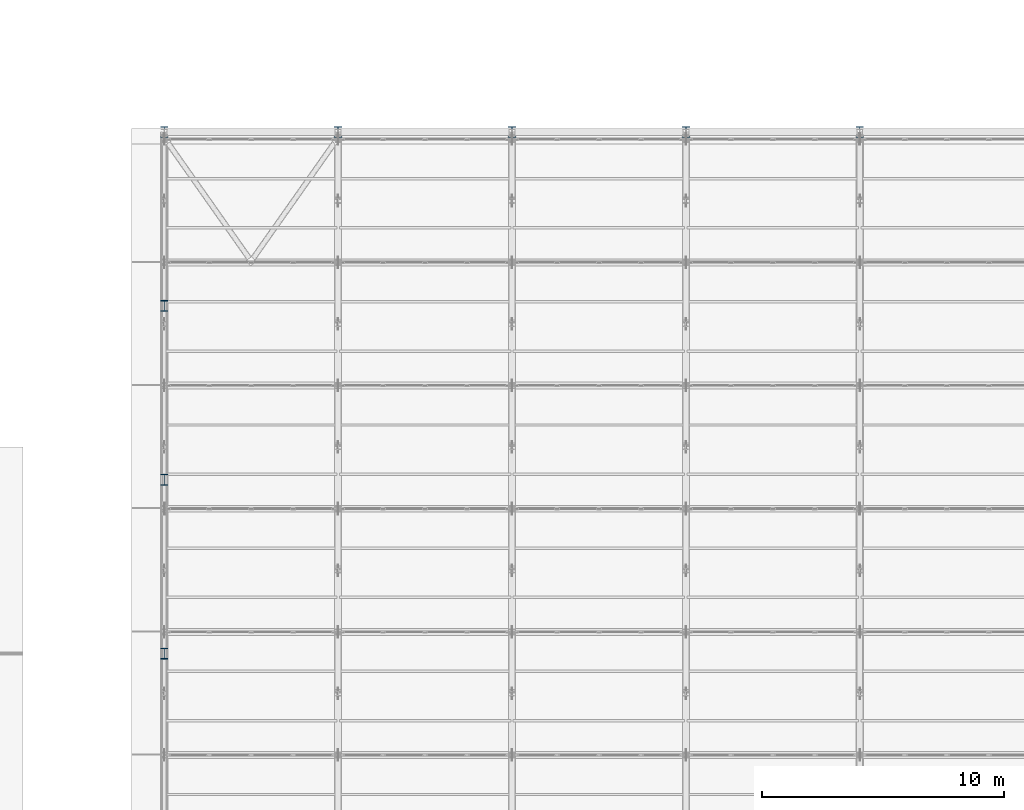
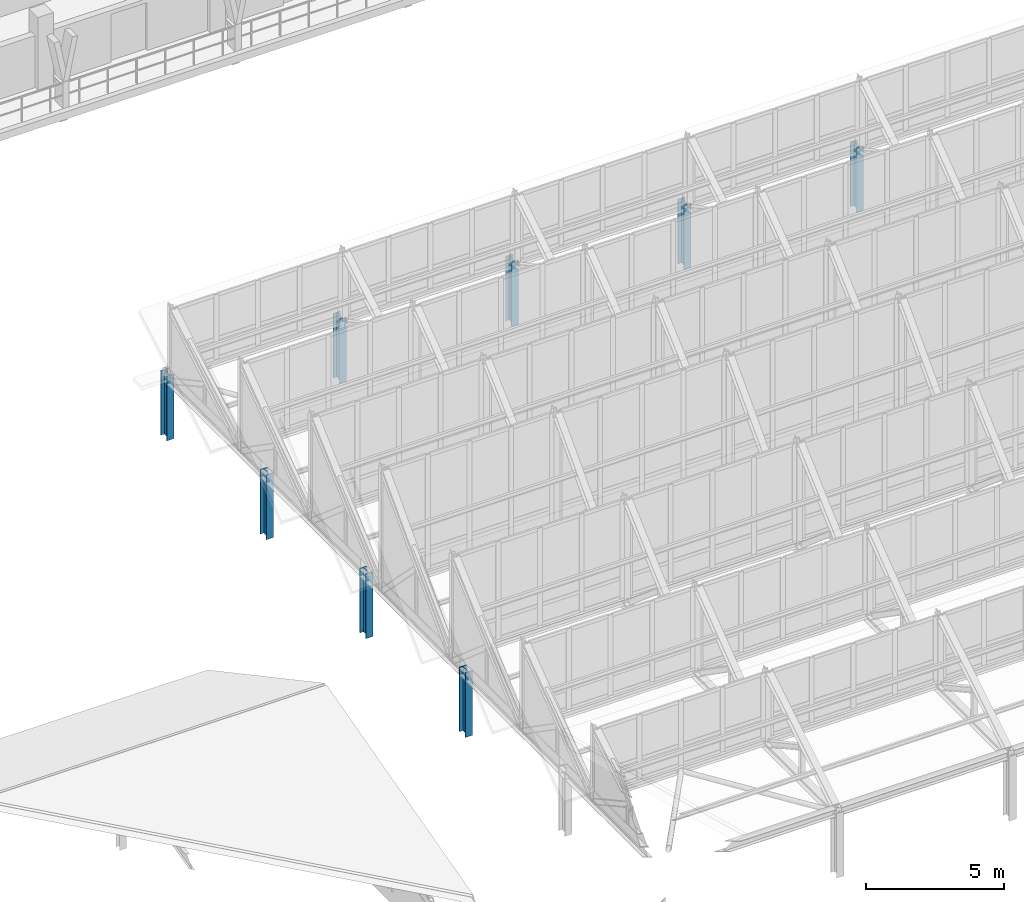
# One storey, part 9 of 157: 8 columns.
"""IFC4 building model written with IfcOpenShell, lengths in metres."""

import ifcopenshell
import ifcopenshell.guid

model = None  # the IFC model being written
_history = None  # IfcOwnerHistory: only IFC2X3 demands one
_inside = {}  # id of a spatial element -> (the spatial element, [elements in it])
_under = {}  # id of a project, library or spatial element -> (it, [spatial elements below it])
_declared = {}  # id of a project -> (the project, [libraries it declares])
_typed = {}  # id of a type object -> (the type object, [elements of that type])
_made_of = {}  # id of a material, layer set ... -> (it, [elements and type objects made of it])


def new_model(schema):
    """Start an empty IFC model of exactly this schema.

    Asked for "IFC4X3", IfcOpenShell would pick the latest addendum, in which some entities
    have other attributes; the version numbers below select the first issue.
    IFC2X3 requires an IfcOwnerHistory on every rooted entity: one is made here for all.
    """
    global model, _history
    if schema == "IFC4X3":
        model = ifcopenshell.file(schema_version=(4, 3, 0, 0))
    else:
        model = ifcopenshell.file(schema=schema)
    _inside.clear()
    _under.clear()
    _declared.clear()
    _typed.clear()
    _made_of.clear()
    _history = None
    if model.schema == "IFC2X3":
        org = make("IfcOrganization", Name="unknown")
        user = make(
            "IfcPersonAndOrganization",
            ThePerson=make("IfcPerson", FamilyName="unknown"),
            TheOrganization=org,
        )
        app = make(
            "IfcApplication",
            ApplicationDeveloper=org,
            Version="unknown",
            ApplicationFullName="unknown",
            ApplicationIdentifier="unknown",
        )
        _history = make(
            "IfcOwnerHistory",
            OwningUser=user,
            OwningApplication=app,
            ChangeAction="ADDED",
            CreationDate=0,
        )
    return model


def make(cls, **values):
    """One entity of the class cls with the attributes given. An attribute that is None is left unset."""
    return model.create_entity(
        cls, **{name: value for name, value in values.items() if value is not None}
    )


def rooted(cls, **values):
    """An entity with a GlobalId (a new one), such as an element, a storey or a relation."""
    return make(cls, GlobalId=ifcopenshell.guid.new(), OwnerHistory=_history, **values)


def si_unit(unit_type, name, prefix=None):
    """IfcSIUnit, for example si_unit("LENGTHUNIT", "METRE", prefix="MILLI")."""
    return make("IfcSIUnit", UnitType=unit_type, Prefix=prefix, Name=name)


def assignment(units):
    """IfcUnitAssignment: the units of a project."""
    return None if units is None else make("IfcUnitAssignment", Units=units)


def point(xyz):
    """IfcCartesianPoint."""
    return None if xyz is None else make("IfcCartesianPoint", Coordinates=xyz)


def direction(xyz):
    """IfcDirection."""
    return None if xyz is None else make("IfcDirection", DirectionRatios=xyz)


def frame(location, z_axis=None, x_axis=None):
    """IfcAxis2Placement3D, a coordinate frame: its origin and axes. An axis left out is left unset."""
    return make(
        "IfcAxis2Placement3D",
        Location=point(location),
        Axis=direction(z_axis),
        RefDirection=direction(x_axis),
    )


def frame_2d(location, x_axis=None):
    """IfcAxis2Placement2D, a coordinate frame in the plane: its origin and x axis."""
    return make(
        "IfcAxis2Placement2D", Location=point(location), RefDirection=direction(x_axis)
    )


def origin():
    """The frame at (0, 0, 0) with its axes left unset."""
    return frame((0.0, 0.0, 0.0))


def origin_2d():
    """The frame at (0, 0) in the plane with its x axis left unset."""
    return frame_2d((0.0, 0.0))


def place(relative_to, where):
    """IfcLocalPlacement: puts the frame where relative to a parent placement (None: the world)."""
    return make(
        "IfcLocalPlacement", PlacementRelTo=relative_to, RelativePlacement=where
    )


def context(
    kind, dimensions, precision=None, world=None, true_north=None, identifier=None
):
    """IfcGeometricRepresentationContext, for example the 3D "Model" context."""
    return make(
        "IfcGeometricRepresentationContext",
        ContextIdentifier=identifier,
        ContextType=kind,
        CoordinateSpaceDimension=dimensions,
        Precision=precision,
        WorldCoordinateSystem=world,
        TrueNorth=true_north,
    )


def subcontext(parent, identifier, kind, view, scale=None):
    """IfcGeometricRepresentationSubContext, for example "Body" below "Model"."""
    return make(
        "IfcGeometricRepresentationSubContext",
        ContextIdentifier=identifier,
        ContextType=kind,
        ParentContext=parent,
        TargetScale=scale,
        TargetView=view,
    )


def project(units=None, contexts=None):
    """IfcProject with its units and contexts."""
    return rooted(
        "IfcProject",
        Name="project",
        RepresentationContexts=contexts,
        UnitsInContext=assignment(units),
    )


def spatial(cls, under=None, at=None, **own):
    """A site, building, storey or space (cls), placed at a placement, below another one or the project."""
    s = rooted(cls, ObjectPlacement=at, **own)
    if under is not None:
        _under.setdefault(under.id(), (under, []))[1].append(s)
    return s


def profile(cls, at=None, kind="AREA", **sizes):
    """A parametric profile (cls). Its sizes go by their IFC names, for example OverallWidth=200.0."""
    return make(cls, ProfileType=kind, Position=at, **sizes)


def i_section(**sizes):
    """IfcIShapeProfileDef."""
    return profile("IfcIShapeProfileDef", **sizes)


def extrude(swept, where, along, depth):
    """IfcExtrudedAreaSolid: the profile swept, set in the frame where, extruded along a direction by depth."""
    return make(
        "IfcExtrudedAreaSolid",
        SweptArea=swept,
        Position=where,
        ExtrudedDirection=direction(along),
        Depth=depth,
    )


def shape(context_of_items, identifier, shape_type, items):
    """IfcShapeRepresentation: the items that make up one representation, for example the "Body"."""
    return make(
        "IfcShapeRepresentation",
        ContextOfItems=context_of_items,
        RepresentationIdentifier=identifier,
        RepresentationType=shape_type,
        Items=items,
    )


def material(Name=None, Category=None):
    """IfcMaterial."""
    return make("IfcMaterial", Name=Name, Category=Category)


def material_profile(
    of_material, cross_section, Name=None, Category=None, Priority=None
):
    """IfcMaterialProfile: a cross section and its material."""
    return make(
        "IfcMaterialProfile",
        Name=Name,
        Material=of_material,
        Profile=cross_section,
        Priority=Priority,
        Category=Category,
    )


def profile_set(profiles, Name=None, composite=None):
    """IfcMaterialProfileSet."""
    return make(
        "IfcMaterialProfileSet",
        Name=Name,
        MaterialProfiles=profiles,
        CompositeProfile=composite,
    )


def made_of(thing, what):
    """Note that an element or type object is made of a material, layer set ...; save() writes the relation."""
    if what is not None:
        _made_of.setdefault(what.id(), (what, []))[1].append(thing)
    return thing


def type_object(cls, material=None, **own):
    """A type object (cls), such as IfcWallType, which elements share."""
    return made_of(rooted(cls, **own), material)


def element(
    cls,
    number,
    at=None,
    inside=None,
    cuts=None,
    type_object=None,
    material=None,
    context=None,
    identifier="Body",
    shape_type=None,
    held_by="IfcProductDefinitionShape",
    body=None,
    shapes=None,
    **own,
):
    """One element of the class cls, such as IfcWall. Its Tag is "e" and its number.

    at: its placement. inside: the storey or other place that contains it. cuts: it is an
    opening in that element (IfcRelVoidsElement). A single representation is given by context,
    identifier, shape_type and body (its items); several are given by shapes. held_by: the class
    of the entity that holds the representations. save() writes the other relations.
    """
    e = rooted(cls, Tag="e%d" % number, ObjectPlacement=at, **own)
    if body is not None:
        shapes = [shape(context, identifier, shape_type, body)]
    if shapes is not None:
        e.Representation = make(held_by, Representations=shapes)
    if inside is not None:
        _inside.setdefault(inside.id(), (inside, []))[1].append(e)
    if cuts is not None:
        rooted(
            "IfcRelVoidsElement", RelatingBuildingElement=cuts, RelatedOpeningElement=e
        )
    if type_object is not None:
        _typed.setdefault(type_object.id(), (type_object, []))[1].append(e)
    return made_of(e, material)


def aggregate(whole, parts):
    """IfcRelAggregates: a whole, such as a stair, and the parts it consists of."""
    return rooted("IfcRelAggregates", RelatingObject=whole, RelatedObjects=parts)


def save(model, path):
    """Write the relations noted so far, then the file.

    IfcRelAggregates (storeys below a building ...), IfcRelContainedInSpatialStructure (elements
    in a storey), IfcRelDefinesByType, IfcRelAssociatesMaterial and IfcRelDeclares: one each for
    every whole, place, type object, material and project.
    """
    for whole, parts in _under.values():
        aggregate(whole, parts)
    for where, things in _inside.values():
        rooted(
            "IfcRelContainedInSpatialStructure",
            RelatedElements=things,
            RelatingStructure=where,
        )
    for kind, things in _typed.values():
        rooted("IfcRelDefinesByType", RelatedObjects=things, RelatingType=kind)
    for what, things in _made_of.values():
        rooted("IfcRelAssociatesMaterial", RelatedObjects=things, RelatingMaterial=what)
    for by, libraries in _declared.values():
        rooted("IfcRelDeclares", RelatingContext=by, RelatedDefinitions=libraries)
    model.write(path)


model = new_model("IFC4")

# Units and contexts
model_context = context("Model", 3, precision=1e-05, world=origin(), true_north=direction((0.0, 1.0)))
body_context = subcontext(model_context, "Body", "Model", "MODEL_VIEW")
ifc_project = project(units=[si_unit("LENGTHUNIT", "METRE"), si_unit("AREAUNIT", "SQUARE_METRE"), si_unit("VOLUMEUNIT", "CUBIC_METRE"), si_unit("PLANEANGLEUNIT", "RADIAN"), si_unit("MASSUNIT", "GRAM", prefix="KILO")], contexts=[model_context])

# Site, building, storey
site_placement = place(None, origin())
site = spatial("IfcSite", under=ifc_project, at=site_placement, CompositionType="ELEMENT")
building_placement = place(site_placement, origin())
building = spatial("IfcBuilding", under=site, at=building_placement, Name="Suanplinth Sawtooth Commons", CompositionType="ELEMENT")
storey_placement = place(building_placement, frame((0.0, 0.0, 9.0)))
storey = spatial("IfcBuildingStorey", under=building, at=storey_placement, Name="L02", CompositionType="ELEMENT", Elevation=9.0)

# Columns
ifc_material = material(Name="Steel S355JR", Category="steel")
ifc_material_profile = material_profile(ifc_material, i_section(OverallWidth=0.300048828125, OverallDepth=0.449951171875, WebThickness=0.013916015625, FlangeThickness=0.02587890625, at=origin_2d()), Name="HEB 450")
ifc_profile_set = profile_set([ifc_material_profile], Name="Steel S355JR")
column_type = type_object("IfcColumnType", Name="C-09", PredefinedType="COLUMN", material=ifc_profile_set)
for number, where, z_axis, x_axis, name in (
    (1, (64.800048828125, 64.800048828125, 0.0), (0.0, 0.0, 1.0), (1.0, 0.0, 0.0), "Column L02 10/K"),
    (2, (64.800048828125, 72.0, 0.0), (0.0, 0.0, 1.0), (1.0, 0.0, 0.0), "Column L02 10/L"),
    (3, (64.800048828125, 79.199951171875, 0.0), (0.0, 0.0, 1.0), (1.0, 0.0, 0.0), "Column L02 10/M"),
    (4, (64.800048828125, 86.39990234375, 0.0), (0.0, 0.0, 1.0), (1.0, 0.0, 0.0), "Column L02 10/N"),
    (5, (72.0, 86.39990234375, 0.0), (0.0, 0.0, 1.0), (1.0, 0.0, 0.0), "Column L02 11/N"),
    (6, (79.199951171875, 86.39990234375, 0.0), (0.0, 0.0, 1.0), (1.0, 0.0, 0.0), "Column L02 12/N"),
    (7, (86.39990234375, 86.39990234375, 0.0), (0.0, 0.0, 1.0), (1.0, 0.0, 0.0), "Column L02 13/N"),
    (8, (93.60009765625, 86.39990234375, 0.0), (0.0, 0.0, 1.0), (1.0, 0.0, 0.0), "Column L02 14/N"),
):
    element("IfcColumn", number, at=place(storey_placement, frame(where, z_axis=z_axis, x_axis=x_axis)), inside=storey, type_object=column_type, Name=name, PredefinedType="COLUMN", context=body_context, shape_type="SweptSolid", body=[
        extrude(i_section(OverallWidth=0.300048828125, OverallDepth=0.449951171875, WebThickness=0.013916015625, FlangeThickness=0.02587890625, at=origin_2d()), origin(), (0.0, 0.0, 1.0), 2.85009765625),
    ])

save(model, "model.ifc")
